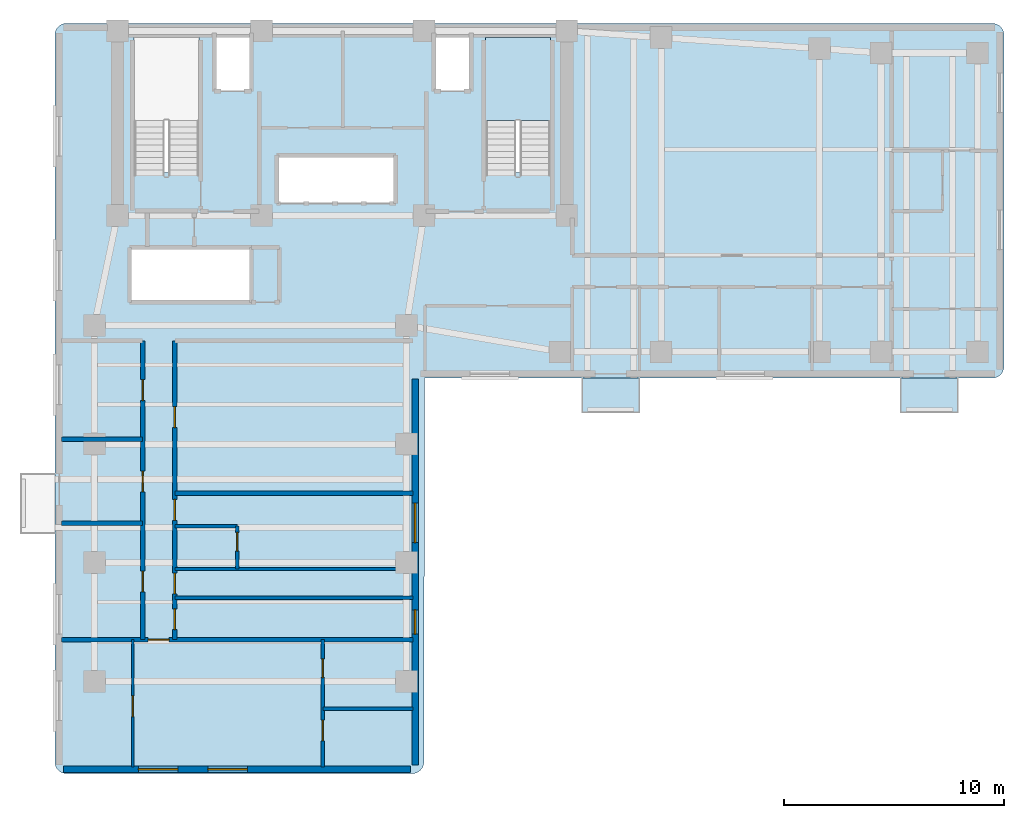
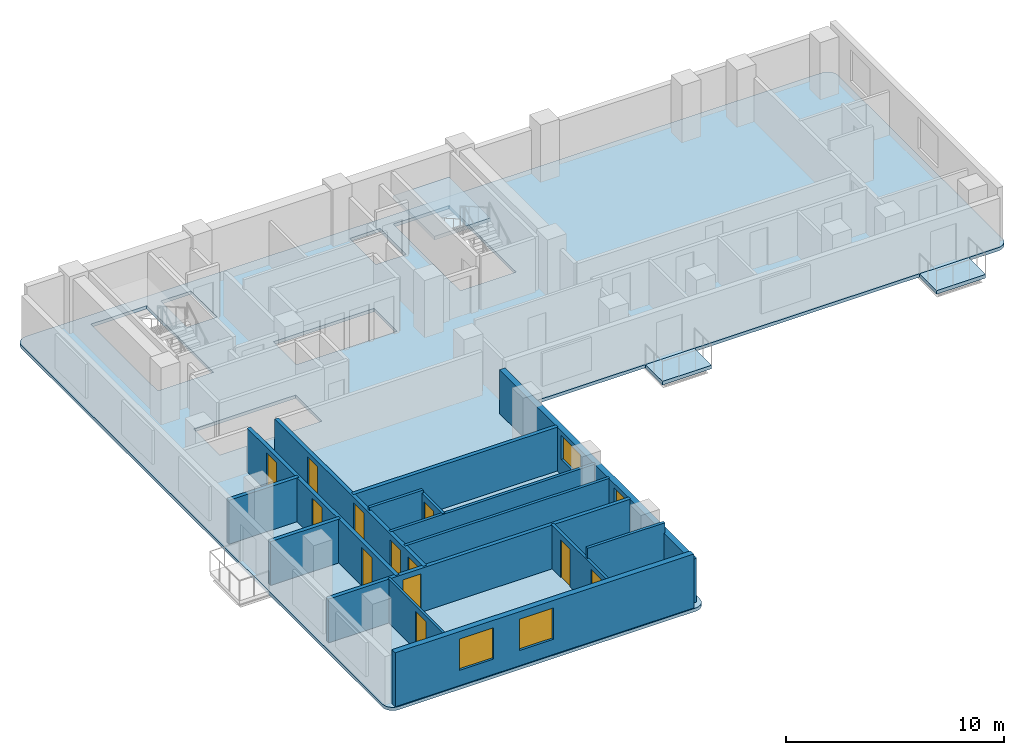
# One storey, part 2 of 7: 15 walls, 12 doors, 4 slabs, 4 windows, 16 openings, 1 element without a shape of its own.
"""IFC4 building model written with IfcOpenShell, lengths in metres."""

from ifc_helpers import new_model, si_unit, direction, frame, frame_2d, origin, place, context, subcontext, project, spatial, polyline, rectangle, outline, extrude, material, layer, layer_set, type_object, element, fill, aggregate, save


model = new_model("IFC4")

# Units and contexts
model_context = context("Model", 3, precision=1e-05, world=origin(), true_north=direction((0.0, 1.0)))
body_context = subcontext(model_context, "Body", "Model", "MODEL_VIEW")
ifc_project = project(units=[si_unit("LENGTHUNIT", "METRE"), si_unit("AREAUNIT", "SQUARE_METRE"), si_unit("VOLUMEUNIT", "CUBIC_METRE"), si_unit("PLANEANGLEUNIT", "RADIAN"), si_unit("MASSUNIT", "GRAM", prefix="KILO")], contexts=[model_context])

# Site, building, storey
site_placement = place(None, origin())
site = spatial("IfcSite", under=ifc_project, at=site_placement, CompositionType="ELEMENT")
building_placement = place(site_placement, origin())
building = spatial("IfcBuilding", under=site, at=building_placement, Name="Kuzgunbayir Cultural Tower", CompositionType="ELEMENT")
storey_placement = place(building_placement, frame((0.0, 0.0, 139.39990234375)))
storey = spatial("IfcBuildingStorey", under=building, at=storey_placement, Name="L40", CompositionType="ELEMENT", Elevation=139.39990234375)

# Slabs
ifc_material_1 = material(Name="Concrete C40/50", Category="concrete")
ifc_layer_1 = layer(ifc_material_1, 0.199951171875)
ifc_layer_set_1 = layer_set([ifc_layer_1], Name="Concrete C40/50")
slab_type_1 = type_object("IfcSlabType", Name="SLB-BAL-STONE", PredefinedType="FLOOR", material=ifc_layer_set_1)
slab_1_placement = place(storey_placement, frame((0.0, 0.0, -0.199951171875)))
element("IfcSlab", 1, at=slab_1_placement, inside=storey, type_object=slab_type_1, Name="L40 Projecting Limestone Balcony BAL-L40-WB1", PredefinedType="FLOOR", context=body_context, shape_type="SweptSolid", body=[
    extrude(outline(polyline([(27.60009765625, 24.840087890625), (30.199951171875, 24.840087890625), (30.199951171875, 26.39990234375), (27.60009765625, 26.39990234375), (27.60009765625, 24.840087890625)])), origin(), (0.0, 0.0, 1.0), 0.199951171875),
])
slab_2_placement = place(storey_placement, frame((0.0, 0.0, -0.199951171875)))
element("IfcSlab", 2, at=slab_2_placement, inside=storey, type_object=slab_type_1, Name="L40 Projecting Limestone Balcony BAL-L40-WB3", PredefinedType="FLOOR", context=body_context, shape_type="SweptSolid", body=[
    extrude(outline(polyline([(42.10009765625, 24.840087890625), (44.699951171875, 24.840087890625), (44.699951171875, 26.39990234375), (42.10009765625, 26.39990234375), (42.10009765625, 24.840087890625)])), origin(), (0.0, 0.0, 1.0), 0.199951171875),
])

# Stair, slab
stair_type = type_object("IfcStairType", Name="STR-EXIT-CORE", PredefinedType="HALF_TURN_STAIR", material=ifc_material_1)
stair_placement = place(storey_placement, origin())
stair = element("IfcStair", 3, at=stair_placement, inside=storey, type_object=stair_type, Name="L40 ST-2", PredefinedType="HALF_TURN_STAIR")
ifc_layer_2 = layer(ifc_material_1, 0.179931640625)
ifc_layer_set_2 = layer_set([ifc_layer_2], Name="Concrete C40/50")
slab_type_2 = type_object("IfcSlabType", Name="SLB-LANDING-180", PredefinedType="LANDING", material=ifc_layer_set_2)
slab_3_placement = place(storey_placement, frame((0.0, 0.0, 1.400146484375)))
slab_3 = element("IfcSlab", 4, at=slab_3_placement, type_object=slab_type_2, Name="ST-2 landing 1", PredefinedType="LANDING", context=body_context, shape_type="SweptSolid", body=[
    extrude(outline(polyline([(26.159912109375, 38.1201171875), (26.159912109375, 41.89990234375), (23.199951171875, 41.89990234375), (23.199951171875, 38.1201171875), (26.159912109375, 38.1201171875)])), origin(), (0.0, 0.0, 1.0), 0.199951171875),
])
aggregate(stair, [slab_3])

# Slab
ifc_layer_3 = layer(ifc_material_1, 0.179931640625)
ifc_layer_set_3 = layer_set([ifc_layer_3], Name="Concrete C40/50")
slab_type_3 = type_object("IfcSlabType", Name="SLB-TYP-180", PredefinedType="FLOOR", material=ifc_layer_set_3)
slab_4_placement = place(storey_placement, frame((0.0, 0.0, -0.179931640625)))
element("IfcSlab", 5, at=slab_4_placement, inside=storey, type_object=slab_type_3, Name="L40 Tower 1 Floor Slab T1-MAIN", PredefinedType="FLOOR", context=body_context, shape_type="SweptSolid", body=[
    extrude(outline(polyline([(20.39990234375, 8.949951171875), (20.389892578125, 8.840087890625), (20.360107421875, 8.739990234375), (20.31005859375, 8.639892578125), (20.239990234375, 8.56005859375), (20.159912109375, 8.489990234375), (20.06005859375, 8.43994140625), (19.9599609375, 8.409912109375), (19.85009765625, 8.39990234375), (4.14990234375, 8.39990234375), (4.0400390625, 8.409912109375), (3.93994140625, 8.43994140625), (3.840087890625, 8.489990234375), (3.760009765625, 8.56005859375), (3.68994140625, 8.639892578125), (3.639892578125, 8.739990234375), (3.610107421875, 8.840087890625), (3.60009765625, 8.949951171875), (3.60009765625, 42.0), (3.610107421875, 42.110107421875), (3.639892578125, 42.2099609375), (3.68994140625, 42.31005859375), (3.760009765625, 42.389892578125), (3.840087890625, 42.4599609375), (3.93994140625, 42.510009765625), (4.0400390625, 42.5400390625), (4.14990234375, 42.550048828125), (46.25, 42.550048828125), (46.360107421875, 42.5400390625), (46.4599609375, 42.510009765625), (46.56005859375, 42.4599609375), (46.639892578125, 42.389892578125), (46.7099609375, 42.31005859375), (46.760009765625, 42.2099609375), (46.7900390625, 42.110107421875), (46.800048828125, 42.0), (46.800048828125, 26.949951171875), (46.7900390625, 26.840087890625), (46.760009765625, 26.739990234375), (46.7099609375, 26.639892578125), (46.639892578125, 26.56005859375), (46.56005859375, 26.489990234375), (46.4599609375, 26.43994140625), (46.360107421875, 26.409912109375), (46.25, 26.39990234375), (20.429931640625, 26.39990234375), (20.39990234375, 8.949951171875)]), holes=[polyline([(7.199951171875, 35.760009765625), (7.199951171875, 41.89990234375), (10.159912109375, 41.89990234375), (10.159912109375, 35.760009765625), (7.199951171875, 35.760009765625)]), polyline([(23.199951171875, 35.760009765625), (23.199951171875, 41.89990234375), (26.159912109375, 41.89990234375), (26.159912109375, 35.760009765625), (23.199951171875, 35.760009765625)]), polyline([(13.75, 34.39990234375), (13.75, 36.5), (19.080078125, 36.5), (19.080078125, 34.39990234375), (13.75, 34.39990234375)]), polyline([(7.10009765625, 29.89990234375), (7.10009765625, 32.300048828125), (12.5, 32.300048828125), (12.5, 29.89990234375), (7.10009765625, 29.89990234375)]), polyline([(10.89990234375, 39.5), (10.89990234375, 41.89990234375), (12.5, 41.89990234375), (12.5, 39.5), (10.89990234375, 39.5)]), polyline([(20.89990234375, 39.5), (20.89990234375, 41.89990234375), (22.5, 41.89990234375), (22.5, 39.5), (20.89990234375, 39.5)])]), origin(), (0.0, 0.0, 1.0), 0.179931640625),
])

# Wall, openings, windows
ifc_material_2 = material(Name="Anatolian Cream Limestone", Category="masonry")
ifc_layer_4 = layer(ifc_material_2, 0.300048828125)
ifc_layer_set_4 = layer_set([ifc_layer_4], Name="Anatolian Cream Limestone")
wall_type_1 = type_object("IfcWallType", Name="WAL-EXT-STONE-300", PredefinedType="STANDARD", material=ifc_layer_set_4)
wall_1_placement = place(storey_placement, frame((4.0, 8.60009765625, 0.0), z_axis=(0.0, 0.0, 1.0), x_axis=(1.0, 0.0, 0.0)))
wall_1 = element("IfcWall", 6, at=wall_1_placement, inside=storey, type_object=wall_type_1, Name="L40 Wing A South Limestone Wall", PredefinedType="STANDARD", context=body_context, shape_type="SweptSolid", body=[
    extrude(rectangle(XDim=15.800048828125, YDim=0.300048828125, at=frame_2d((7.89990234375, 0.0))), origin(), (0.0, 0.0, 1.0), 3.02001953125),
])
opening_1_placement = place(wall_1_placement, frame((6.570068359375, 0.0, 0.85009765625)))
opening_1 = element("IfcOpeningElement", 7, at=opening_1_placement, cuts=wall_1, Name="Opening WH-18", PredefinedType="OPENING", context=body_context, shape_type="SweptSolid", body=[
    extrude(rectangle(XDim=1.800048828125, YDim=1.75, at=frame_2d((0.89990234375, 0.875))), frame((0.0, 0.16015625, 0.0), z_axis=(0.0, -1.0, 0.0), x_axis=(1.0, 0.0, 0.0)), (0.0, 0.0, 1.0), 0.320068359375),
])
opening_2_placement = place(wall_1_placement, frame((3.39990234375, 0.0, 0.85009765625)))
opening_2 = element("IfcOpeningElement", 8, at=opening_2_placement, cuts=wall_1, Name="Opening WH-18", PredefinedType="OPENING", context=body_context, shape_type="SweptSolid", body=[
    extrude(rectangle(XDim=1.800048828125, YDim=1.75, at=frame_2d((0.89990234375, 0.875))), frame((0.0, 0.16015625, 0.0), z_axis=(0.0, -1.0, 0.0), x_axis=(1.0, 0.0, 0.0)), (0.0, 0.0, 1.0), 0.320068359375),
])
ifc_material_3 = material(Name="Solar-Control Triple Glazing", Category="glass")
window_type_1 = type_object("IfcWindowType", Name="WIN-HOTEL-18", PartitioningType="SINGLE_PANEL", PredefinedType="WINDOW", material=ifc_material_3)
window_1_placement = place(opening_1_placement, origin())
window_1 = element("IfcWindow", 9, at=window_1_placement, inside=storey, type_object=window_type_1, Name="L40 WAS Facade Window 2", OverallHeight=1.75, OverallWidth=1.800048828125, PartitioningType="SINGLE_PANEL", PredefinedType="WINDOW", context=body_context, shape_type="SweptSolid", body=[
    extrude(rectangle(XDim=1.800048828125, YDim=1.75, at=frame_2d((0.89990234375, 0.875))), frame((0.0, 0.030029296875, 0.0), z_axis=(0.0, -1.0, 0.0), x_axis=(1.0, 0.0, 0.0)), (0.0, 0.0, 1.0), 0.06005859375),
])
fill(opening_1, window_1)
window_2_placement = place(opening_2_placement, origin())
window_2 = element("IfcWindow", 10, at=window_2_placement, inside=storey, type_object=window_type_1, Name="L40 WAS Facade Window 11", OverallHeight=1.75, OverallWidth=1.800048828125, PartitioningType="SINGLE_PANEL", PredefinedType="WINDOW", context=body_context, shape_type="SweptSolid", body=[
    extrude(rectangle(XDim=1.800048828125, YDim=1.75, at=frame_2d((0.89990234375, 0.875))), frame((0.0, 0.030029296875, 0.0), z_axis=(0.0, -1.0, 0.0), x_axis=(1.0, 0.0, 0.0)), (0.0, 0.0, 1.0), 0.06005859375),
])
fill(opening_2, window_2)

wall_2_placement = place(storey_placement, frame((20.0, 8.800048828125, 0.0), z_axis=(0.0, 0.0, 1.0), x_axis=(0.0, 1.0, 0.0)))
wall_2 = element("IfcWall", 11, at=wall_2_placement, inside=storey, type_object=wall_type_1, Name="L40 Wing A East Limestone Wall", PredefinedType="STANDARD", context=body_context, shape_type="SweptSolid", body=[
    extrude(rectangle(XDim=17.550048828125, YDim=0.300048828125, at=frame_2d((8.77490234375, 0.0))), origin(), (0.0, 0.0, 1.0), 2.4501953125),
])
opening_3_placement = place(wall_2_placement, frame((10.110107421875, 0.0, 0.85009765625)))
opening_3 = element("IfcOpeningElement", 12, at=opening_3_placement, cuts=wall_2, Name="Opening WH-18", PredefinedType="OPENING", context=body_context, shape_type="SweptSolid", body=[
    extrude(rectangle(XDim=1.800048828125, YDim=1.35009765625, at=frame_2d((0.89990234375, 0.675048828125))), frame((0.0, 0.16015625, 0.0), z_axis=(0.0, -1.0, 0.0), x_axis=(1.0, 0.0, 0.0)), (0.0, 0.0, 1.0), 0.320068359375),
])
opening_4_placement = place(wall_2_placement, frame((5.949951171875, 0.0, 0.85009765625)))
opening_4 = element("IfcOpeningElement", 13, at=opening_4_placement, cuts=wall_2, Name="Opening WN-11", PredefinedType="OPENING", context=body_context, shape_type="SweptSolid", body=[
    extrude(rectangle(XDim=1.10009765625, YDim=1.35009765625, at=frame_2d((0.550048828125, 0.675048828125))), frame((0.0, 0.16015625, 0.0), z_axis=(0.0, -1.0, 0.0), x_axis=(1.0, 0.0, 0.0)), (0.0, 0.0, 1.0), 0.320068359375),
])
window_3_placement = place(opening_3_placement, origin())
window_3 = element("IfcWindow", 14, at=window_3_placement, inside=storey, type_object=window_type_1, Name="L40 WAE Facade Window 3", OverallHeight=1.35009765625, OverallWidth=1.800048828125, PartitioningType="SINGLE_PANEL", PredefinedType="WINDOW", context=body_context, shape_type="SweptSolid", body=[
    extrude(rectangle(XDim=1.800048828125, YDim=1.35009765625, at=frame_2d((0.89990234375, 0.675048828125))), frame((0.0, 0.030029296875, 0.0), z_axis=(0.0, -1.0, 0.0), x_axis=(1.0, 0.0, 0.0)), (0.0, 0.0, 1.0), 0.06005859375),
])
fill(opening_3, window_3)
window_type_2 = type_object("IfcWindowType", Name="WIN-NARROW-11", PartitioningType="SINGLE_PANEL", PredefinedType="WINDOW", material=ifc_material_3)
window_4_placement = place(opening_4_placement, origin())
window_4 = element("IfcWindow", 15, at=window_4_placement, inside=storey, type_object=window_type_2, Name="L40 WAE Facade Window 10", OverallHeight=1.35009765625, OverallWidth=1.10009765625, PartitioningType="SINGLE_PANEL", PredefinedType="WINDOW", context=body_context, shape_type="SweptSolid", body=[
    extrude(rectangle(XDim=1.10009765625, YDim=1.35009765625, at=frame_2d((0.550048828125, 0.675048828125))), frame((0.0, 0.030029296875, 0.0), z_axis=(0.0, -1.0, 0.0), x_axis=(1.0, 0.0, 0.0)), (0.0, 0.0, 1.0), 0.06005859375),
])
fill(opening_4, window_4)

# Wall
ifc_material_4 = material(Name="Acoustic Double-Stud Drywall", Category="gypsum")
ifc_layer_5 = layer(ifc_material_4, 0.14990234375)
ifc_layer_set_5 = layer_set([ifc_layer_5], Name="Acoustic Double-Stud Drywall")
wall_type_2 = type_object("IfcWallType", Name="WAL-PART-ACOUSTIC-150", PredefinedType="PARTITIONING", material=ifc_layer_set_5)
wall_3_placement = place(storey_placement, frame((9.06005859375, 16.39990234375, 0.0), z_axis=(0.0, 0.0, 1.0), x_axis=(1.0, 0.0, 0.0)))
element("IfcWall", 16, at=wall_3_placement, inside=storey, type_object=wall_type_2, Name="L40 Housekeeping North Wall", PredefinedType="PARTITIONING", context=body_context, shape_type="SweptSolid", body=[
    extrude(rectangle(XDim=10.83984375, YDim=0.14990234375, at=frame_2d((5.419921875, 0.0))), origin(), (0.0, 0.0, 1.0), 2.4501953125),
])

# Wall, openings, doors
ifc_material_5 = material(Name="Aerated Concrete Blockwork", Category="masonry")
ifc_layer_6 = layer(ifc_material_5, 0.199951171875)
ifc_layer_set_6 = layer_set([ifc_layer_6], Name="Aerated Concrete Blockwork")
wall_type_3 = type_object("IfcWallType", Name="WAL-PART-FIRE-200", PredefinedType="PARTITIONING", material=ifc_layer_set_6)
wall_4_placement = place(storey_placement, frame((7.60009765625, 14.5, 0.0), z_axis=(0.0, 0.0, 1.0), x_axis=(0.0, 1.0, 0.0)))
wall_4 = element("IfcWall", 17, at=wall_4_placement, inside=storey, type_object=wall_type_3, Name="L40 Wing A West Corridor Wall", PredefinedType="PARTITIONING", context=body_context, shape_type="SweptSolid", body=[
    extrude(rectangle(XDim=13.60009765625, YDim=0.199951171875, at=frame_2d((6.800048828125, 0.0))), origin(), (0.0, 0.0, 1.0), 2.4501953125),
])
opening_5_placement = place(wall_4_placement, frame((2.169921875, 0.0, 0.0)))
opening_5 = element("IfcOpeningElement", 18, at=opening_5_placement, cuts=wall_4, Name="Opening DI-90", PredefinedType="OPENING", context=body_context, shape_type="SweptSolid", body=[
    extrude(rectangle(XDim=0.949951171875, YDim=2.14990234375, at=frame_2d((0.47509765625, 1.074951171875))), frame((0.0, 0.10986328125, 0.0), z_axis=(0.0, -1.0, 0.0), x_axis=(1.0, 0.0, 0.0)), (0.0, 0.0, 1.0), 0.219970703125),
])
opening_6_placement = place(wall_4_placement, frame((6.719970703125, 0.0, 0.0)))
opening_6 = element("IfcOpeningElement", 19, at=opening_6_placement, cuts=wall_4, Name="Opening DI-90", PredefinedType="OPENING", context=body_context, shape_type="SweptSolid", body=[
    extrude(rectangle(XDim=0.949951171875, YDim=2.14990234375, at=frame_2d((0.47509765625, 1.074951171875))), frame((0.0, 0.10986328125, 0.0), z_axis=(0.0, -1.0, 0.0), x_axis=(1.0, 0.0, 0.0)), (0.0, 0.0, 1.0), 0.219970703125),
])
opening_7_placement = place(wall_4_placement, frame((10.8798828125, 0.0, 0.0)))
opening_7 = element("IfcOpeningElement", 20, at=opening_7_placement, cuts=wall_4, Name="Opening DI-90", PredefinedType="OPENING", context=body_context, shape_type="SweptSolid", body=[
    extrude(rectangle(XDim=0.949951171875, YDim=2.14990234375, at=frame_2d((0.47509765625, 1.074951171875))), frame((0.0, 0.10986328125, 0.0), z_axis=(0.0, -1.0, 0.0), x_axis=(1.0, 0.0, 0.0)), (0.0, 0.0, 1.0), 0.219970703125),
])
ifc_material_6 = material(Name="Veneered Oak Single Leaf", Category="wood")
door_type_1 = type_object("IfcDoorType", Name="DR-INT-90", OperationType="NOTDEFINED", PredefinedType="DOOR", material=ifc_material_6)
door_1_placement = place(opening_5_placement, origin())
door_1 = element("IfcDoor", 21, at=door_1_placement, inside=storey, type_object=door_type_1, Name="L40 Culinary Tasting Pantry 1 Door", OperationType="SINGLE_SWING_RIGHT", OverallHeight=2.14990234375, OverallWidth=0.949951171875, PredefinedType="DOOR", context=body_context, shape_type="SweptSolid", body=[
    extrude(rectangle(XDim=0.949951171875, YDim=2.14990234375, at=frame_2d((0.47509765625, 1.074951171875))), frame((0.0, 0.02490234375, 0.0), z_axis=(0.0, -1.0, 0.0), x_axis=(1.0, 0.0, 0.0)), (0.0, 0.0, 1.0), 0.050048828125),
])
fill(opening_5, door_1)
door_2_placement = place(opening_6_placement, origin())
door_2 = element("IfcDoor", 22, at=door_2_placement, inside=storey, type_object=door_type_1, Name="L40 Culinary Tasting Pantry 2 Door", OperationType="SINGLE_SWING_LEFT", OverallHeight=2.14990234375, OverallWidth=0.949951171875, PredefinedType="DOOR", context=body_context, shape_type="SweptSolid", body=[
    extrude(rectangle(XDim=0.949951171875, YDim=2.14990234375, at=frame_2d((0.47509765625, 1.074951171875))), frame((0.0, 0.02490234375, 0.0), z_axis=(0.0, -1.0, 0.0), x_axis=(1.0, 0.0, 0.0)), (0.0, 0.0, 1.0), 0.050048828125),
])
fill(opening_6, door_2)
door_3_placement = place(opening_7_placement, origin())
door_3 = element("IfcDoor", 23, at=door_3_placement, inside=storey, type_object=door_type_1, Name="L40 Culinary Tasting Pantry 3 Door", OperationType="SINGLE_SWING_RIGHT", OverallHeight=2.14990234375, OverallWidth=0.949951171875, PredefinedType="DOOR", context=body_context, shape_type="SweptSolid", body=[
    extrude(rectangle(XDim=0.949951171875, YDim=2.14990234375, at=frame_2d((0.47509765625, 1.074951171875))), frame((0.0, 0.02490234375, 0.0), z_axis=(0.0, -1.0, 0.0), x_axis=(1.0, 0.0, 0.0)), (0.0, 0.0, 1.0), 0.050048828125),
])
fill(opening_7, door_3)

wall_5_placement = place(storey_placement, frame((9.06005859375, 14.5, 0.0), z_axis=(0.0, 0.0, 1.0), x_axis=(0.0, 1.0, 0.0)))
wall_5 = element("IfcWall", 24, at=wall_5_placement, inside=storey, type_object=wall_type_3, Name="L40 Wing A East Corridor Wall", PredefinedType="PARTITIONING", context=body_context, shape_type="SweptSolid", body=[
    extrude(rectangle(XDim=13.60009765625, YDim=0.199951171875, at=frame_2d((6.800048828125, 0.0))), origin(), (0.0, 0.0, 1.0), 2.4501953125),
])
opening_8_placement = place(wall_5_placement, frame((0.449951171875, 0.0, 0.0)))
opening_8 = element("IfcOpeningElement", 25, at=opening_8_placement, cuts=wall_5, Name="Opening DI-90", PredefinedType="OPENING", context=body_context, shape_type="SweptSolid", body=[
    extrude(rectangle(XDim=0.949951171875, YDim=2.14990234375, at=frame_2d((0.47509765625, 1.074951171875))), frame((0.0, 0.10986328125, 0.0), z_axis=(0.0, -1.0, 0.0), x_axis=(1.0, 0.0, 0.0)), (0.0, 0.0, 1.0), 0.219970703125),
])
opening_9_placement = place(wall_5_placement, frame((2.080078125, 0.0, 0.0)))
opening_9 = element("IfcOpeningElement", 26, at=opening_9_placement, cuts=wall_5, Name="Opening DW-95", PredefinedType="OPENING", context=body_context, shape_type="SweptSolid", body=[
    extrude(rectangle(XDim=0.949951171875, YDim=2.10009765625, at=frame_2d((0.47509765625, 1.050048828125))), frame((0.0, 0.10986328125, 0.0), z_axis=(0.0, -1.0, 0.0), x_axis=(1.0, 0.0, 0.0)), (0.0, 0.0, 1.0), 0.219970703125),
])
opening_10_placement = place(wall_5_placement, frame((9.64990234375, 0.0, 0.0)))
opening_10 = element("IfcOpeningElement", 27, at=opening_10_placement, cuts=wall_5, Name="Opening DI-90", PredefinedType="OPENING", context=body_context, shape_type="SweptSolid", body=[
    extrude(rectangle(XDim=0.949951171875, YDim=2.14990234375, at=frame_2d((0.47509765625, 1.074951171875))), frame((0.0, 0.10986328125, 0.0), z_axis=(0.0, -1.0, 0.0), x_axis=(1.0, 0.0, 0.0)), (0.0, 0.0, 1.0), 0.219970703125),
])
opening_11_placement = place(wall_5_placement, frame((5.429931640625, 0.0, 0.0)))
opening_11 = element("IfcOpeningElement", 28, at=opening_11_placement, cuts=wall_5, Name="Opening DR-APT-60", PredefinedType="OPENING", context=body_context, shape_type="SweptSolid", body=[
    extrude(rectangle(XDim=0.949951171875, YDim=2.14990234375, at=frame_2d((0.47509765625, 1.074951171875))), frame((0.0, 0.10986328125, 0.0), z_axis=(0.0, -1.0, 0.0), x_axis=(1.0, 0.0, 0.0)), (0.0, 0.0, 1.0), 0.219970703125),
])
ifc_material_7 = material(Name="Acoustic Fire Timber Leaf", Category="wood")
door_type_2 = type_object("IfcDoorType", Name="DR-APT-60", OperationType="NOTDEFINED", PredefinedType="DOOR", material=ifc_material_7)
door_4_placement = place(opening_11_placement, origin())
door_4 = element("IfcDoor", 29, at=door_4_placement, inside=storey, type_object=door_type_2, Name="L40 Guest Suite E1 Entrance", OperationType="SINGLE_SWING_LEFT", OverallHeight=2.14990234375, OverallWidth=0.949951171875, PredefinedType="DOOR", context=body_context, shape_type="SweptSolid", body=[
    extrude(rectangle(XDim=0.949951171875, YDim=2.14990234375, at=frame_2d((0.47509765625, 1.074951171875))), frame((0.0, 0.02490234375, 0.0), z_axis=(0.0, -1.0, 0.0), x_axis=(1.0, 0.0, 0.0)), (0.0, 0.0, 1.0), 0.050048828125),
])
fill(opening_11, door_4)
door_5_placement = place(opening_8_placement, origin())
door_5 = element("IfcDoor", 30, at=door_5_placement, inside=storey, type_object=door_type_1, Name="L40 Housekeeping Room Door", OperationType="SINGLE_SWING_LEFT", OverallHeight=2.14990234375, OverallWidth=0.949951171875, PredefinedType="DOOR", context=body_context, shape_type="SweptSolid", body=[
    extrude(rectangle(XDim=0.949951171875, YDim=2.14990234375, at=frame_2d((0.47509765625, 1.074951171875))), frame((0.0, 0.02490234375, 0.0), z_axis=(0.0, -1.0, 0.0), x_axis=(1.0, 0.0, 0.0)), (0.0, 0.0, 1.0), 0.050048828125),
])
fill(opening_8, door_5)
door_6_placement = place(opening_10_placement, origin())
door_6 = element("IfcDoor", 31, at=door_6_placement, inside=storey, type_object=door_type_1, Name="L40 Culinary Tasting Pantry E1 Door", OperationType="SINGLE_SWING_LEFT", OverallHeight=2.14990234375, OverallWidth=0.949951171875, PredefinedType="DOOR", context=body_context, shape_type="SweptSolid", body=[
    extrude(rectangle(XDim=0.949951171875, YDim=2.14990234375, at=frame_2d((0.47509765625, 1.074951171875))), frame((0.0, 0.02490234375, 0.0), z_axis=(0.0, -1.0, 0.0), x_axis=(1.0, 0.0, 0.0)), (0.0, 0.0, 1.0), 0.050048828125),
])
fill(opening_10, door_6)
ifc_material_8 = material(Name="Laminate Moisture-Resistant Leaf", Category="wood")
door_type_3 = type_object("IfcDoorType", Name="DR-WET-95", OperationType="NOTDEFINED", PredefinedType="DOOR", material=ifc_material_8)
door_7_placement = place(opening_9_placement, origin())
door_7 = element("IfcDoor", 32, at=door_7_placement, inside=storey, type_object=door_type_3, Name="L40 Accessible WC Door", OperationType="SINGLE_SWING_RIGHT", OverallHeight=2.10009765625, OverallWidth=0.949951171875, PredefinedType="DOOR", context=body_context, shape_type="SweptSolid", body=[
    extrude(rectangle(XDim=0.949951171875, YDim=2.10009765625, at=frame_2d((0.47509765625, 1.050048828125))), frame((0.0, 0.02490234375, 0.0), z_axis=(0.0, -1.0, 0.0), x_axis=(1.0, 0.0, 0.0)), (0.0, 0.0, 1.0), 0.050048828125),
])
fill(opening_9, door_7)

# Wall, opening, door
wall_6_placement = place(storey_placement, frame((3.89990234375, 14.5, 0.0), z_axis=(0.0, 0.0, 1.0), x_axis=(1.0, 0.0, 0.0)))
wall_6 = element("IfcWall", 33, at=wall_6_placement, inside=storey, type_object=wall_type_3, Name="L40 South Cross Partition", PredefinedType="PARTITIONING", context=body_context, shape_type="SweptSolid", body=[
    extrude(rectangle(XDim=16.0, YDim=0.199951171875, at=frame_2d((8.0, 0.0))), origin(), (0.0, 0.0, 1.0), 2.4501953125),
])
opening_12_placement = place(wall_6_placement, frame((3.949951171875, 0.0, 0.0)))
opening_12 = element("IfcOpeningElement", 34, at=opening_12_placement, cuts=wall_6, Name="Opening DR-APT-60", PredefinedType="OPENING", context=body_context, shape_type="SweptSolid", body=[
    extrude(rectangle(XDim=0.949951171875, YDim=2.14990234375, at=frame_2d((0.47509765625, 1.074951171875))), frame((0.0, 0.10986328125, 0.0), z_axis=(0.0, -1.0, 0.0), x_axis=(1.0, 0.0, 0.0)), (0.0, 0.0, 1.0), 0.219970703125),
])
door_8_placement = place(opening_12_placement, origin())
door_8 = element("IfcDoor", 35, at=door_8_placement, inside=storey, type_object=door_type_2, Name="L40 Diplomatic Suite Entrance", OperationType="SINGLE_SWING_LEFT", OverallHeight=2.14990234375, OverallWidth=0.949951171875, PredefinedType="DOOR", context=body_context, shape_type="SweptSolid", body=[
    extrude(rectangle(XDim=0.949951171875, YDim=2.14990234375, at=frame_2d((0.47509765625, 1.074951171875))), frame((0.0, 0.02490234375, 0.0), z_axis=(0.0, -1.0, 0.0), x_axis=(1.0, 0.0, 0.0)), (0.0, 0.0, 1.0), 0.050048828125),
])
fill(opening_12, door_8)

# Walls
for number, where, z_axis, x_axis, name in (
    (36, (3.89990234375, 19.800048828125, 0.0), (0.0, 0.0, 1.0), (1.0, 0.0, 0.0), "L40 West Party Wall 1"),
    (37, (3.89990234375, 23.610107421875, 0.0), (0.0, 0.0, 1.0), (1.0, 0.0, 0.0), "L40 West Party Wall 2"),
):
    element("IfcWall", number, at=place(storey_placement, frame(where, z_axis=z_axis, x_axis=x_axis)), inside=storey, type_object=wall_type_3, Name=name, PredefinedType="PARTITIONING", context=body_context, shape_type="SweptSolid", body=[
        extrude(rectangle(XDim=3.7001953125, YDim=0.199951171875, at=frame_2d((1.85009765625, 0.0))), origin(), (0.0, 0.0, 1.0), 2.4501953125),
    ])
wall_7_placement = place(storey_placement, frame((9.06005859375, 21.159912109375, 0.0), z_axis=(0.0, 0.0, 1.0), x_axis=(1.0, 0.0, 0.0)))
element("IfcWall", 38, at=wall_7_placement, inside=storey, type_object=wall_type_3, Name="L40 Suite E1 Sub-Party Wall", PredefinedType="PARTITIONING", context=body_context, shape_type="SweptSolid", body=[
    extrude(rectangle(XDim=10.83984375, YDim=0.199951171875, at=frame_2d((5.419921875, 0.0))), origin(), (0.0, 0.0, 1.0), 2.4501953125),
])

# Wall, opening, door
ifc_material_9 = material(Name="Framed Gypsum Partition", Category="gypsum")
ifc_layer_7 = layer(ifc_material_9, 0.1201171875)
ifc_layer_set_7 = layer_set([ifc_layer_7], Name="Framed Gypsum Partition")
wall_type_4 = type_object("IfcWallType", Name="WAL-PART-INT-120", PredefinedType="PARTITIONING", material=ifc_layer_set_7)
wall_8_placement = place(storey_placement, frame((7.14990234375, 8.699951171875, 0.0), z_axis=(0.0, 0.0, 1.0), x_axis=(0.0, 1.0, 0.0)))
wall_8 = element("IfcWall", 39, at=wall_8_placement, inside=storey, type_object=wall_type_4, Name="L40 Diplomatic Suite Bedroom Wall", PredefinedType="PARTITIONING", context=body_context, shape_type="SweptSolid", body=[
    extrude(rectangle(XDim=5.800048828125, YDim=0.1201171875, at=frame_2d((2.89990234375, 0.0))), origin(), (0.0, 0.0, 1.0), 2.4501953125),
])
opening_13_placement = place(wall_8_placement, frame((2.2900390625, 0.0, 0.0)))
opening_13 = element("IfcOpeningElement", 40, at=opening_13_placement, cuts=wall_8, Name="Opening DI-90", PredefinedType="OPENING", context=body_context, shape_type="SweptSolid", body=[
    extrude(rectangle(XDim=0.949951171875, YDim=2.14990234375, at=frame_2d((0.47509765625, 1.074951171875))), frame((0.0, 0.070068359375, 0.0), z_axis=(0.0, -1.0, 0.0), x_axis=(1.0, 0.0, 0.0)), (0.0, 0.0, 1.0), 0.14013671875),
])
door_9_placement = place(opening_13_placement, origin())
door_9 = element("IfcDoor", 41, at=door_9_placement, inside=storey, type_object=door_type_1, Name="L40 Diplomatic Bedroom Door", OperationType="SINGLE_SWING_RIGHT", OverallHeight=2.14990234375, OverallWidth=0.949951171875, PredefinedType="DOOR", context=body_context, shape_type="SweptSolid", body=[
    extrude(rectangle(XDim=0.949951171875, YDim=2.14990234375, at=frame_2d((0.47509765625, 1.074951171875))), frame((0.0, 0.02490234375, 0.0), z_axis=(0.0, -1.0, 0.0), x_axis=(1.0, 0.0, 0.0)), (0.0, 0.0, 1.0), 0.050048828125),
])
fill(opening_13, door_9)

# Wall, openings, doors
ifc_material_10 = material(Name="Moisture-Resistant Tile Partition", Category="gypsum")
ifc_layer_8 = layer(ifc_material_10, 0.14990234375)
ifc_layer_set_8 = layer_set([ifc_layer_8], Name="Moisture-Resistant Tile Partition")
wall_type_5 = type_object("IfcWallType", Name="WAL-PART-WET-150", PredefinedType="PARTITIONING", material=ifc_layer_set_8)
wall_9_placement = place(storey_placement, frame((15.800048828125, 8.699951171875, 0.0), z_axis=(0.0, 0.0, 1.0), x_axis=(0.0, 1.0, 0.0)))
wall_9 = element("IfcWall", 42, at=wall_9_placement, inside=storey, type_object=wall_type_5, Name="L40 Diplomatic Suite Service Wall", PredefinedType="PARTITIONING", context=body_context, shape_type="SweptSolid", body=[
    extrude(rectangle(XDim=5.800048828125, YDim=0.14990234375, at=frame_2d((2.89990234375, 0.0))), origin(), (0.0, 0.0, 1.0), 2.4501953125),
])
opening_14_placement = place(wall_9_placement, frame((1.18994140625, 0.0, 0.0)))
opening_14 = element("IfcOpeningElement", 43, at=opening_14_placement, cuts=wall_9, Name="Opening DI-90", PredefinedType="OPENING", context=body_context, shape_type="SweptSolid", body=[
    extrude(rectangle(XDim=0.949951171875, YDim=2.14990234375, at=frame_2d((0.47509765625, 1.074951171875))), frame((0.0, 0.0849609375, 0.0), z_axis=(0.0, -1.0, 0.0), x_axis=(1.0, 0.0, 0.0)), (0.0, 0.0, 1.0), 0.169921875),
])
opening_15_placement = place(wall_9_placement, frame((4.070068359375, 0.0, 0.0)))
opening_15 = element("IfcOpeningElement", 44, at=opening_15_placement, cuts=wall_9, Name="Opening DW-85", PredefinedType="OPENING", context=body_context, shape_type="SweptSolid", body=[
    extrude(rectangle(XDim=0.85009765625, YDim=2.10009765625, at=frame_2d((0.425048828125, 1.050048828125))), frame((0.0, 0.0849609375, 0.0), z_axis=(0.0, -1.0, 0.0), x_axis=(1.0, 0.0, 0.0)), (0.0, 0.0, 1.0), 0.169921875),
])
door_10_placement = place(opening_14_placement, origin())
door_10 = element("IfcDoor", 45, at=door_10_placement, inside=storey, type_object=door_type_1, Name="L40 Diplomatic Kitchen Door", OperationType="SINGLE_SWING_LEFT", OverallHeight=2.14990234375, OverallWidth=0.949951171875, PredefinedType="DOOR", context=body_context, shape_type="SweptSolid", body=[
    extrude(rectangle(XDim=0.949951171875, YDim=2.14990234375, at=frame_2d((0.47509765625, 1.074951171875))), frame((0.0, 0.02490234375, 0.0), z_axis=(0.0, -1.0, 0.0), x_axis=(1.0, 0.0, 0.0)), (0.0, 0.0, 1.0), 0.050048828125),
])
fill(opening_14, door_10)
door_type_4 = type_object("IfcDoorType", Name="DR-WET-85", OperationType="NOTDEFINED", PredefinedType="DOOR", material=ifc_material_8)
door_11_placement = place(opening_15_placement, origin())
door_11 = element("IfcDoor", 46, at=door_11_placement, inside=storey, type_object=door_type_4, Name="L40 Diplomatic Bathroom Door", OperationType="SINGLE_SWING_RIGHT", OverallHeight=2.10009765625, OverallWidth=0.85009765625, PredefinedType="DOOR", context=body_context, shape_type="SweptSolid", body=[
    extrude(rectangle(XDim=0.85009765625, YDim=2.10009765625, at=frame_2d((0.425048828125, 1.050048828125))), frame((0.0, 0.02490234375, 0.0), z_axis=(0.0, -1.0, 0.0), x_axis=(1.0, 0.0, 0.0)), (0.0, 0.0, 1.0), 0.050048828125),
])
fill(opening_15, door_11)

# Walls
wall_10_placement = place(storey_placement, frame((15.800048828125, 11.35009765625, 0.0), z_axis=(0.0, 0.0, 1.0), x_axis=(1.0, 0.0, 0.0)))
element("IfcWall", 47, at=wall_10_placement, inside=storey, type_object=wall_type_5, Name="L40 Diplomatic Suite Bath Kitchen Divider", PredefinedType="PARTITIONING", context=body_context, shape_type="SweptSolid", body=[
    extrude(rectangle(XDim=4.099853515625, YDim=0.14990234375, at=frame_2d((2.0498046875, 0.0))), origin(), (0.0, 0.0, 1.0), 3.02001953125),
])
wall_11_placement = place(storey_placement, frame((9.06005859375, 17.7099609375, 0.0), z_axis=(0.0, 0.0, 1.0), x_axis=(1.0, 0.0, 0.0)))
element("IfcWall", 48, at=wall_11_placement, inside=storey, type_object=wall_type_5, Name="L40 Accessible WC North Wall", PredefinedType="PARTITIONING", context=body_context, shape_type="SweptSolid", body=[
    extrude(rectangle(XDim=10.83984375, YDim=0.14990234375, at=frame_2d((5.419921875, 0.0))), origin(), (0.0, 0.0, 1.0), 2.4501953125),
])
wall_12_placement = place(storey_placement, frame((9.06005859375, 19.659912109375, 0.0), z_axis=(0.0, 0.0, 1.0), x_axis=(1.0, 0.0, 0.0)))
element("IfcWall", 49, at=wall_12_placement, inside=storey, type_object=wall_type_5, Name="L40 Suite E1 En-Suite North Wall", PredefinedType="PARTITIONING", context=body_context, shape_type="SweptSolid", body=[
    extrude(rectangle(XDim=2.849853515625, YDim=0.14990234375, at=frame_2d((1.4248046875, 0.0))), origin(), (0.0, 0.0, 1.0), 2.610107421875),
])

# Wall, opening, door
wall_13_placement = place(storey_placement, frame((11.909912109375, 17.7099609375, 0.0), z_axis=(0.0, 0.0, 1.0), x_axis=(0.0, 1.0, 0.0)))
wall_13 = element("IfcWall", 50, at=wall_13_placement, inside=storey, type_object=wall_type_5, Name="L40 Suite E1 En-Suite East Wall", PredefinedType="PARTITIONING", context=body_context, shape_type="SweptSolid", body=[
    extrude(rectangle(XDim=1.949951171875, YDim=0.14990234375, at=frame_2d((0.97509765625, 0.0))), origin(), (0.0, 0.0, 1.0), 2.4501953125),
])
opening_16_placement = place(wall_13_placement, frame((0.820068359375, 0.0, 0.0)))
opening_16 = element("IfcOpeningElement", 51, at=opening_16_placement, cuts=wall_13, Name="Opening DW-85", PredefinedType="OPENING", context=body_context, shape_type="SweptSolid", body=[
    extrude(rectangle(XDim=0.85009765625, YDim=2.10009765625, at=frame_2d((0.425048828125, 1.050048828125))), frame((0.0, 0.0849609375, 0.0), z_axis=(0.0, -1.0, 0.0), x_axis=(1.0, 0.0, 0.0)), (0.0, 0.0, 1.0), 0.169921875),
])
door_12_placement = place(opening_16_placement, origin())
door_12 = element("IfcDoor", 52, at=door_12_placement, inside=storey, type_object=door_type_4, Name="L40 Suite E1 En-Suite Door", OperationType="SINGLE_SWING_RIGHT", OverallHeight=2.10009765625, OverallWidth=0.85009765625, PredefinedType="DOOR", context=body_context, shape_type="SweptSolid", body=[
    extrude(rectangle(XDim=0.85009765625, YDim=2.10009765625, at=frame_2d((0.425048828125, 1.050048828125))), frame((0.0, 0.02490234375, 0.0), z_axis=(0.0, -1.0, 0.0), x_axis=(1.0, 0.0, 0.0)), (0.0, 0.0, 1.0), 0.050048828125),
])
fill(opening_16, door_12)

save(model, "model.ifc")
